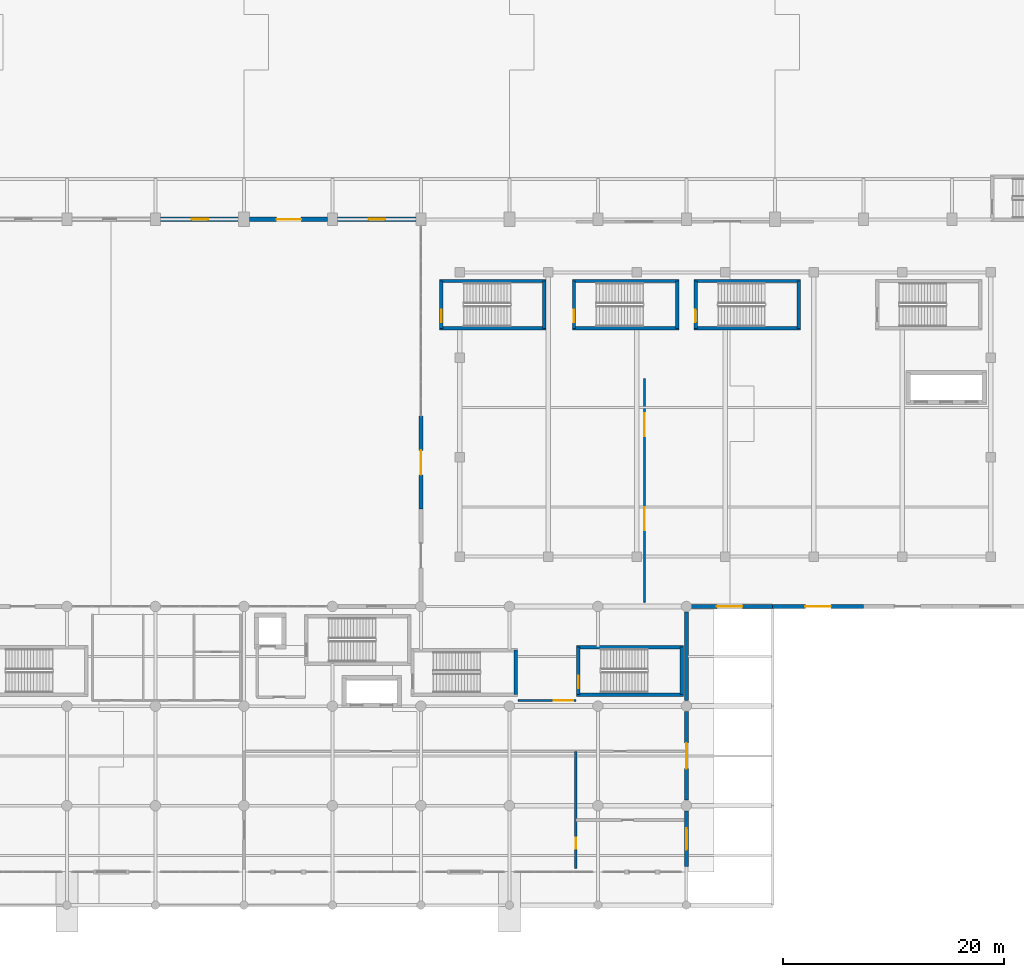
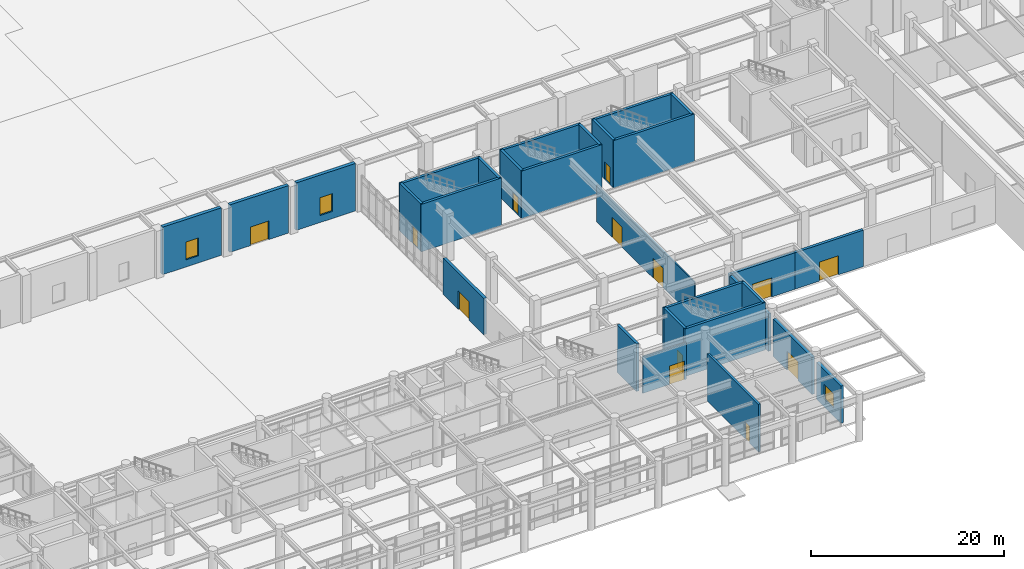
# One storey, part 32 of 49: 29 walls, 13 doors, 3 windows, 16 openings.
"""IFC4 building model written with IfcOpenShell, lengths in metres."""

from ifc_helpers import new_model, si_unit, direction, frame, frame_2d, origin, place, context, subcontext, project, spatial, rectangle, extrude, material, layer, layer_set, type_object, element, fill, save


model = new_model("IFC4")

# Units and contexts
model_context = context("Model", 3, precision=1e-05, world=origin(), true_north=direction((0.0, 1.0)))
body_context = subcontext(model_context, "Body", "Model", "MODEL_VIEW")
ifc_project = project(units=[si_unit("LENGTHUNIT", "METRE"), si_unit("AREAUNIT", "SQUARE_METRE"), si_unit("VOLUMEUNIT", "CUBIC_METRE"), si_unit("PLANEANGLEUNIT", "RADIAN"), si_unit("MASSUNIT", "GRAM", prefix="KILO")], contexts=[model_context])

# Site, building, storey
site_placement = place(None, origin())
site = spatial("IfcSite", under=ifc_project, at=site_placement, CompositionType="ELEMENT")
building_placement = place(site_placement, origin())
building = spatial("IfcBuilding", under=site, at=building_placement, Name="Tlacozan Convention Centre", CompositionType="ELEMENT")
storey_placement = place(building_placement, origin())
storey = spatial("IfcBuildingStorey", under=building, at=storey_placement, Name="L00", CompositionType="ELEMENT", Elevation=0.0)

# Wall, opening, window
ifc_material_1 = material(Name="Volcanic Cantera Stone Masonry", Category="masonry")
ifc_layer_1 = layer(ifc_material_1, 0.35009765625)
ifc_layer_set_1 = layer_set([ifc_layer_1], Name="Volcanic Cantera Stone Masonry")
wall_type_1 = type_object("IfcWallType", Name="Cantera Cavity Facade Wall 350", PredefinedType="SOLIDWALL", material=ifc_layer_set_1)
wall_1_placement = place(storey_placement, frame((112.0, 3.5, 0.0), z_axis=(0.0, 0.0, 1.0), x_axis=(0.0, 1.0, 0.0)))
wall_1 = element("IfcWall", 1, at=wall_1_placement, inside=storey, type_object=wall_type_1, Name="L00 Cantera Cavity Facade Wall 350 103", PredefinedType="SOLIDWALL", context=body_context, shape_type="SweptSolid", body=[
    extrude(rectangle(XDim=5.0, YDim=0.35009765625, at=frame_2d((2.5, 0.0))), origin(), (0.0, 0.0, 1.0), 4.699951171875),
])
opening_1_placement = place(wall_1_placement, frame((1.5, 0.0, 1.0)))
opening_1 = element("IfcOpeningElement", 2, at=opening_1_placement, cuts=wall_1, Name="Opening WN-07", PredefinedType="OPENING", context=body_context, shape_type="SweptSolid", body=[
    extrude(rectangle(XDim=1.949951171875, YDim=1.85009765625, at=frame_2d((0.97509765625, 0.925048828125))), frame((0.0, 0.18505859375, 0.0), z_axis=(0.0, -1.0, 0.0), x_axis=(1.0, 0.0, 0.0)), (0.0, 0.0, 1.0), 0.3701171875),
])
ifc_material_2 = material(Name="Solar Control Double Low-E Argon Glazing", Category="glass")
window_type_1 = type_object("IfcWindowType", Name="Concourse East Reveal Window 1950x1850", PartitioningType="SINGLE_PANEL", PredefinedType="WINDOW", material=ifc_material_2)
window_1_placement = place(opening_1_placement, origin())
window_1 = element("IfcWindow", 3, at=window_1_placement, inside=storey, type_object=window_type_1, Name="L00 Concourse East Reveal Window 1950x1850 47", OverallHeight=1.85009765625, OverallWidth=1.949951171875, PartitioningType="SINGLE_PANEL", PredefinedType="WINDOW", context=body_context, shape_type="SweptSolid", body=[
    extrude(rectangle(XDim=1.949951171875, YDim=1.85009765625, at=frame_2d((0.97509765625, 0.925048828125))), frame((0.0, 0.030029296875, 0.0), z_axis=(0.0, -1.0, 0.0), x_axis=(1.0, 0.0, 0.0)), (0.0, 0.0, 1.0), 0.06005859375),
])
fill(opening_1, window_1)

# Wall, opening, door
wall_2_placement = place(storey_placement, frame((112.0, 9.5, 0.0), z_axis=(0.0, 0.0, 1.0), x_axis=(0.0, 1.0, 0.0)))
wall_2 = element("IfcWall", 4, at=wall_2_placement, inside=storey, type_object=wall_type_1, Name="L00 Cantera Cavity Facade Wall 350 105", PredefinedType="SOLIDWALL", context=body_context, shape_type="SweptSolid", body=[
    extrude(rectangle(XDim=8.0, YDim=0.35009765625, at=frame_2d((4.0, 0.0))), origin(), (0.0, 0.0, 1.0), 4.699951171875),
])
opening_2_placement = place(wall_2_placement, frame((2.85009765625, 0.0, 0.0)))
opening_2 = element("IfcOpeningElement", 5, at=opening_2_placement, cuts=wall_2, Name="Opening EX-D1", PredefinedType="OPENING", context=body_context, shape_type="SweptSolid", body=[
    extrude(rectangle(XDim=2.300048828125, YDim=2.39990234375, at=frame_2d((1.14990234375, 1.199951171875))), frame((0.0, 0.18505859375, 0.0), z_axis=(0.0, -1.0, 0.0), x_axis=(1.0, 0.0, 0.0)), (0.0, 0.0, 1.0), 0.3701171875),
])
ifc_material_3 = material(Name="Thermally Broken Anodised Aluminium Door", Category="aluminium")
door_type_1 = type_object("IfcDoorType", Name="Pedestrian Final Exit Double Door 2300x2400", OperationType="DOUBLE_DOOR_SINGLE_SWING", PredefinedType="DOOR", material=ifc_material_3)
door_1_placement = place(opening_2_placement, frame((2.300048828125, 0.0, 0.0), z_axis=(0.0, 0.0, 1.0), x_axis=(-1.0, 0.0, 0.0)))
door_1 = element("IfcDoor", 6, at=door_1_placement, inside=storey, type_object=door_type_1, Name="Final Pedestrian Exit EX-25", OperationType="DOUBLE_DOOR_SINGLE_SWING", OverallHeight=2.39990234375, OverallWidth=2.300048828125, PredefinedType="DOOR", context=body_context, shape_type="SweptSolid", body=[
    extrude(rectangle(XDim=2.300048828125, YDim=2.39990234375, at=frame_2d((1.14990234375, 1.199951171875))), frame((0.0, 0.02490234375, 0.0), z_axis=(0.0, -1.0, 0.0), x_axis=(1.0, 0.0, 0.0)), (0.0, 0.0, 1.0), 0.050048828125),
])
fill(opening_2, door_1)

# Wall
wall_3_placement = place(storey_placement, frame((112.0, 18.5, 0.0), z_axis=(0.0, 0.0, 1.0), x_axis=(0.0, 1.0, 0.0)))
element("IfcWall", 7, at=wall_3_placement, inside=storey, type_object=wall_type_1, Name="L00 Cantera Cavity Facade Wall 350 107", PredefinedType="SOLIDWALL", context=body_context, shape_type="SweptSolid", body=[
    extrude(rectangle(XDim=8.0, YDim=0.35009765625, at=frame_2d((4.0, 0.0))), origin(), (0.0, 0.0, 1.0), 4.699951171875),
])

# Wall, opening, window
ifc_material_4 = material(Name="Concrete C40/50", Category="concrete")
ifc_layer_2 = layer(ifc_material_4, 0.39990234375)
ifc_layer_set_2 = layer_set([ifc_layer_2], Name="Concrete C40/50")
wall_type_2 = type_object("IfcWallType", Name="Cantera Structural Hall Wall 400", PredefinedType="SOLIDWALL", material=ifc_layer_set_2)
wall_4_placement = place(storey_placement, frame((64.465087890625, 62.0, 0.0), z_axis=(0.0, 0.0, 1.0), x_axis=(1.0, 0.0, 0.0)))
wall_4 = element("IfcWall", 8, at=wall_4_placement, inside=storey, type_object=wall_type_2, Name="L00 Cantera Structural Hall Wall 400 91", PredefinedType="SOLIDWALL", context=body_context, shape_type="SweptSolid", body=[
    extrude(rectangle(XDim=7.02001953125, YDim=0.39990234375, at=frame_2d((3.510009765625, 0.0))), origin(), (0.0, 0.0, 1.0), 6.0),
])
opening_3_placement = place(wall_4_placement, frame((2.800048828125, 0.0, 0.89990234375)))
opening_3 = element("IfcOpeningElement", 9, at=opening_3_placement, cuts=wall_4, Name="Opening WN-09", PredefinedType="OPENING", context=body_context, shape_type="SweptSolid", body=[
    extrude(rectangle(XDim=1.5, YDim=2.25, at=frame_2d((0.75, 1.125))), frame((0.0, 0.2099609375, 0.0), z_axis=(0.0, -1.0, 0.0), x_axis=(1.0, 0.0, 0.0)), (0.0, 0.0, 1.0), 0.419921875),
])
window_type_2 = type_object("IfcWindowType", Name="Courtyard Wide Slot Window 1500x2250", PartitioningType="SINGLE_PANEL", PredefinedType="WINDOW", material=ifc_material_2)
window_2_placement = place(opening_3_placement, origin())
window_2 = element("IfcWindow", 10, at=window_2_placement, inside=storey, type_object=window_type_2, Name="L00 Courtyard Wide Slot Window 1500x2250 44", OverallHeight=2.25, OverallWidth=1.5, PartitioningType="SINGLE_PANEL", PredefinedType="WINDOW", context=body_context, shape_type="SweptSolid", body=[
    extrude(rectangle(XDim=1.5, YDim=2.25, at=frame_2d((0.75, 1.125))), frame((0.0, 0.030029296875, 0.0), z_axis=(0.0, -1.0, 0.0), x_axis=(1.0, 0.0, 0.0)), (0.0, 0.0, 1.0), 0.06005859375),
])
fill(opening_3, window_2)

# Wall, opening, door
wall_5_placement = place(storey_placement, frame((72.514892578125, 62.0, 0.0), z_axis=(0.0, 0.0, 1.0), x_axis=(1.0, 0.0, 0.0)))
wall_5 = element("IfcWall", 11, at=wall_5_placement, inside=storey, type_object=wall_type_2, Name="L00 Cantera Structural Hall Wall 400 92", PredefinedType="SOLIDWALL", context=body_context, shape_type="SweptSolid", body=[
    extrude(rectangle(XDim=7.02001953125, YDim=0.39990234375, at=frame_2d((3.510009765625, 0.0))), origin(), (0.0, 0.0, 1.0), 6.0),
])
opening_4_placement = place(wall_5_placement, frame((2.449951171875, 0.0, 0.0)))
opening_4 = element("IfcOpeningElement", 12, at=opening_4_placement, cuts=wall_5, Name="Opening EX-D4", PredefinedType="OPENING", context=body_context, shape_type="SweptSolid", body=[
    extrude(rectangle(XDim=2.199951171875, YDim=2.35009765625, at=frame_2d((1.10009765625, 1.175048828125))), frame((0.0, 0.2099609375, 0.0), z_axis=(0.0, -1.0, 0.0), x_axis=(1.0, 0.0, 0.0)), (0.0, 0.0, 1.0), 0.419921875),
])
door_type_2 = type_object("IfcDoorType", Name="Courtyard Cloister Exit Door 2200x2350", OperationType="DOUBLE_DOOR_SINGLE_SWING", PredefinedType="DOOR", material=ifc_material_3)
door_2_placement = place(opening_4_placement, frame((2.199951171875, 0.0, 0.0), z_axis=(0.0, 0.0, 1.0), x_axis=(-1.0, 0.0, 0.0)))
door_2 = element("IfcDoor", 13, at=door_2_placement, inside=storey, type_object=door_type_2, Name="Final Pedestrian Exit EX-16", OperationType="DOUBLE_DOOR_SINGLE_SWING", OverallHeight=2.35009765625, OverallWidth=2.199951171875, PredefinedType="DOOR", context=body_context, shape_type="SweptSolid", body=[
    extrude(rectangle(XDim=2.199951171875, YDim=2.35009765625, at=frame_2d((1.10009765625, 1.175048828125))), frame((0.0, 0.02490234375, 0.0), z_axis=(0.0, -1.0, 0.0), x_axis=(1.0, 0.0, 0.0)), (0.0, 0.0, 1.0), 0.050048828125),
])
fill(opening_4, door_2)

# Wall, opening, window
wall_6_placement = place(storey_placement, frame((80.465087890625, 62.0, 0.0), z_axis=(0.0, 0.0, 1.0), x_axis=(1.0, 0.0, 0.0)))
wall_6 = element("IfcWall", 14, at=wall_6_placement, inside=storey, type_object=wall_type_2, Name="L00 Cantera Structural Hall Wall 400 93", PredefinedType="SOLIDWALL", context=body_context, shape_type="SweptSolid", body=[
    extrude(rectangle(XDim=7.06982421875, YDim=0.39990234375, at=frame_2d((3.534912109375, 0.0))), origin(), (0.0, 0.0, 1.0), 6.0),
])
opening_5_placement = place(wall_6_placement, frame((2.800048828125, 0.0, 0.89990234375)))
opening_5 = element("IfcOpeningElement", 15, at=opening_5_placement, cuts=wall_6, Name="Opening WN-09", PredefinedType="OPENING", context=body_context, shape_type="SweptSolid", body=[
    extrude(rectangle(XDim=1.5, YDim=2.25, at=frame_2d((0.75, 1.125))), frame((0.0, 0.2099609375, 0.0), z_axis=(0.0, -1.0, 0.0), x_axis=(1.0, 0.0, 0.0)), (0.0, 0.0, 1.0), 0.419921875),
])
window_3_placement = place(opening_5_placement, origin())
window_3 = element("IfcWindow", 16, at=window_3_placement, inside=storey, type_object=window_type_2, Name="L00 Courtyard Wide Slot Window 1500x2250 45", OverallHeight=2.25, OverallWidth=1.5, PartitioningType="SINGLE_PANEL", PredefinedType="WINDOW", context=body_context, shape_type="SweptSolid", body=[
    extrude(rectangle(XDim=1.5, YDim=2.25, at=frame_2d((0.75, 1.125))), frame((0.0, 0.030029296875, 0.0), z_axis=(0.0, -1.0, 0.0), x_axis=(1.0, 0.0, 0.0)), (0.0, 0.0, 1.0), 0.06005859375),
])
fill(opening_5, window_3)

# Wall, opening, door
ifc_layer_3 = layer(ifc_material_4, 0.260009765625)
ifc_layer_set_3 = layer_set([ifc_layer_3], Name="Concrete C40/50")
wall_type_3 = type_object("IfcWallType", Name="Compartment Rated Wall RC 260", PredefinedType="SOLIDWALL", material=ifc_layer_set_3)
wall_7_placement = place(storey_placement, frame((102.0, 3.300048828125, 0.0), z_axis=(0.0, 0.0, 1.0), x_axis=(0.0, 1.0, 0.0)))
wall_7 = element("IfcWall", 17, at=wall_7_placement, inside=storey, type_object=wall_type_3, Name="L00 Compartment Rated Wall RC 260 574", PredefinedType="SOLIDWALL", context=body_context, shape_type="SweptSolid", body=[
    extrude(rectangle(XDim=10.599853515625, YDim=0.260009765625, at=frame_2d((5.2998046875, 0.0))), origin(), (0.0, 0.0, 1.0), 6.0),
])
opening_6_placement = place(wall_7_placement, frame((1.800048828125, 0.0, 0.0)))
opening_6 = element("IfcOpeningElement", 18, at=opening_6_placement, cuts=wall_7, Name="Opening FD-01", PredefinedType="OPENING", context=body_context, shape_type="SweptSolid", body=[
    extrude(rectangle(XDim=1.0, YDim=2.14990234375, at=frame_2d((0.5, 1.074951171875))), frame((0.0, 0.139892578125, 0.0), z_axis=(0.0, -1.0, 0.0), x_axis=(1.0, 0.0, 0.0)), (0.0, 0.0, 1.0), 0.280029296875),
])
ifc_material_5 = material(Name="Fire-Rated Insulated Steel Door Leaf", Category="steel")
door_type_3 = type_object("IfcDoorType", Name="Fire Door Single 1000x2150 FD90", OperationType="NOTDEFINED", PredefinedType="DOOR", material=ifc_material_5)
door_3_placement = place(opening_6_placement, origin())
door_3 = element("IfcDoor", 19, at=door_3_placement, inside=storey, type_object=door_type_3, Name="Fire Command Room Interior Door", OperationType="SINGLE_SWING_RIGHT", OverallHeight=2.14990234375, OverallWidth=1.0, PredefinedType="DOOR", context=body_context, shape_type="SweptSolid", body=[
    extrude(rectangle(XDim=1.0, YDim=2.14990234375, at=frame_2d((0.5, 1.074951171875))), frame((0.0, 0.02490234375, 0.0), z_axis=(0.0, -1.0, 0.0), x_axis=(1.0, 0.0, 0.0)), (0.0, 0.0, 1.0), 0.050048828125),
])
fill(opening_6, door_3)

ifc_layer_4 = layer(ifc_material_1, 0.330078125)
ifc_layer_set_4 = layer_set([ifc_layer_4], Name="Volcanic Cantera Stone Masonry")
wall_type_4 = type_object("IfcWallType", Name="Courtyard Cantera Cloister Wall 330", PredefinedType="SOLIDWALL", material=ifc_layer_set_4)
wall_8_placement = place(storey_placement, frame((88.0, 35.800048828125, 0.0), z_axis=(0.0, 0.0, 1.0), x_axis=(0.0, 1.0, 0.0)))
wall_8 = element("IfcWall", 20, at=wall_8_placement, inside=storey, type_object=wall_type_4, Name="L00 Courtyard Cantera Cloister Wall 330 187", PredefinedType="SOLIDWALL", context=body_context, shape_type="SweptSolid", body=[
    extrude(rectangle(XDim=8.39990234375, YDim=0.330078125, at=frame_2d((4.199951171875, 0.0))), origin(), (0.0, 0.0, 1.0), 4.60009765625),
])
opening_7_placement = place(wall_8_placement, frame((3.10009765625, 0.0, 0.0)))
opening_7 = element("IfcOpeningElement", 21, at=opening_7_placement, cuts=wall_8, Name="Opening EX-D4", PredefinedType="OPENING", context=body_context, shape_type="SweptSolid", body=[
    extrude(rectangle(XDim=2.199951171875, YDim=2.35009765625, at=frame_2d((1.10009765625, 1.175048828125))), frame((0.0, 0.175048828125, 0.0), z_axis=(0.0, -1.0, 0.0), x_axis=(1.0, 0.0, 0.0)), (0.0, 0.0, 1.0), 0.35009765625),
])
door_4_placement = place(opening_7_placement, origin())
door_4 = element("IfcDoor", 22, at=door_4_placement, inside=storey, type_object=door_type_2, Name="Final Pedestrian Exit EX-33", OperationType="DOUBLE_DOOR_SINGLE_SWING", OverallHeight=2.35009765625, OverallWidth=2.199951171875, PredefinedType="DOOR", context=body_context, shape_type="SweptSolid", body=[
    extrude(rectangle(XDim=2.199951171875, YDim=2.35009765625, at=frame_2d((1.10009765625, 1.175048828125))), frame((0.0, 0.02490234375, 0.0), z_axis=(0.0, -1.0, 0.0), x_axis=(1.0, 0.0, 0.0)), (0.0, 0.0, 1.0), 0.050048828125),
])
fill(opening_7, door_4)

wall_9_placement = place(storey_placement, frame((112.0, 27.0, 0.0), z_axis=(0.0, 0.0, 1.0), x_axis=(1.0, 0.0, 0.0)))
wall_9 = element("IfcWall", 23, at=wall_9_placement, inside=storey, type_object=wall_type_4, Name="L00 Courtyard Cantera Cloister Wall 330 188", PredefinedType="SOLIDWALL", context=body_context, shape_type="SweptSolid", body=[
    extrude(rectangle(XDim=7.800048828125, YDim=0.330078125, at=frame_2d((3.89990234375, 0.0))), origin(), (0.0, 0.0, 1.0), 4.60009765625),
])
opening_8_placement = place(wall_9_placement, frame((2.75, 0.0, 0.0)))
opening_8 = element("IfcOpeningElement", 24, at=opening_8_placement, cuts=wall_9, Name="Opening EX-D1", PredefinedType="OPENING", context=body_context, shape_type="SweptSolid", body=[
    extrude(rectangle(XDim=2.300048828125, YDim=2.39990234375, at=frame_2d((1.14990234375, 1.199951171875))), frame((0.0, 0.175048828125, 0.0), z_axis=(0.0, -1.0, 0.0), x_axis=(1.0, 0.0, 0.0)), (0.0, 0.0, 1.0), 0.35009765625),
])
door_5_placement = place(opening_8_placement, frame((2.300048828125, 0.0, 0.0), z_axis=(0.0, 0.0, 1.0), x_axis=(-1.0, 0.0, 0.0)))
door_5 = element("IfcDoor", 25, at=door_5_placement, inside=storey, type_object=door_type_1, Name="Final Pedestrian Exit EX-34", OperationType="DOUBLE_DOOR_SINGLE_SWING", OverallHeight=2.39990234375, OverallWidth=2.300048828125, PredefinedType="DOOR", context=body_context, shape_type="SweptSolid", body=[
    extrude(rectangle(XDim=2.300048828125, YDim=2.39990234375, at=frame_2d((1.14990234375, 1.199951171875))), frame((0.0, 0.02490234375, 0.0), z_axis=(0.0, -1.0, 0.0), x_axis=(1.0, 0.0, 0.0)), (0.0, 0.0, 1.0), 0.050048828125),
])
fill(opening_8, door_5)

wall_10_placement = place(storey_placement, frame((119.800048828125, 27.0, 0.0), z_axis=(0.0, 0.0, 1.0), x_axis=(1.0, 0.0, 0.0)))
wall_10 = element("IfcWall", 26, at=wall_10_placement, inside=storey, type_object=wall_type_4, Name="L00 Courtyard Cantera Cloister Wall 330 189", PredefinedType="SOLIDWALL", context=body_context, shape_type="SweptSolid", body=[
    extrude(rectangle(XDim=8.199951171875, YDim=0.330078125, at=frame_2d((4.10009765625, 0.0))), origin(), (0.0, 0.0, 1.0), 4.60009765625),
])
opening_9_placement = place(wall_10_placement, frame((2.949951171875, 0.0, 0.0)))
opening_9 = element("IfcOpeningElement", 27, at=opening_9_placement, cuts=wall_10, Name="Opening EX-D1", PredefinedType="OPENING", context=body_context, shape_type="SweptSolid", body=[
    extrude(rectangle(XDim=2.300048828125, YDim=2.39990234375, at=frame_2d((1.14990234375, 1.199951171875))), frame((0.0, 0.175048828125, 0.0), z_axis=(0.0, -1.0, 0.0), x_axis=(1.0, 0.0, 0.0)), (0.0, 0.0, 1.0), 0.35009765625),
])
door_6_placement = place(opening_9_placement, frame((2.300048828125, 0.0, 0.0), z_axis=(0.0, 0.0, 1.0), x_axis=(-1.0, 0.0, 0.0)))
door_6 = element("IfcDoor", 28, at=door_6_placement, inside=storey, type_object=door_type_1, Name="Final Pedestrian Exit EX-35", OperationType="DOUBLE_DOOR_SINGLE_SWING", OverallHeight=2.39990234375, OverallWidth=2.300048828125, PredefinedType="DOOR", context=body_context, shape_type="SweptSolid", body=[
    extrude(rectangle(XDim=2.300048828125, YDim=2.39990234375, at=frame_2d((1.14990234375, 1.199951171875))), frame((0.0, 0.02490234375, 0.0), z_axis=(0.0, -1.0, 0.0), x_axis=(1.0, 0.0, 0.0)), (0.0, 0.0, 1.0), 0.050048828125),
])
fill(opening_9, door_6)

ifc_material_6 = material(Name="Acoustic Double-Stud Partition Assembly")
ifc_layer_5 = layer(ifc_material_6, 0.159912109375)
ifc_layer_set_5 = layer_set([ifc_layer_5], Name="Acoustic Double-Stud Partition Assembly")
wall_type_5 = type_object("IfcWallType", Name="Meeting Acoustic Partition 160", PredefinedType="PARTITIONING", material=ifc_layer_set_5)
wall_11_placement = place(storey_placement, frame((96.800048828125, 18.5, 0.0), z_axis=(0.0, 0.0, 1.0), x_axis=(1.0, 0.0, 0.0)))
wall_11 = element("IfcWall", 29, at=wall_11_placement, inside=storey, type_object=wall_type_5, Name="L00 Meeting Acoustic Partition 160 576", PredefinedType="PARTITIONING", context=body_context, shape_type="SweptSolid", body=[
    extrude(rectangle(XDim=5.199951171875, YDim=0.159912109375, at=frame_2d((2.60009765625, 0.0))), origin(), (0.0, 0.0, 1.0), 4.64990234375),
])
opening_10_placement = place(wall_11_placement, frame((3.199951171875, 0.0, 0.0)))
opening_10 = element("IfcOpeningElement", 30, at=opening_10_placement, cuts=wall_11, Name="Opening ID-16", PredefinedType="OPENING", context=body_context, shape_type="SweptSolid", body=[
    extrude(rectangle(XDim=1.75, YDim=2.35009765625, at=frame_2d((0.875, 1.175048828125))), frame((0.0, 0.08984375, 0.0), z_axis=(0.0, -1.0, 0.0), x_axis=(1.0, 0.0, 0.0)), (0.0, 0.0, 1.0), 0.179931640625),
])
ifc_material_7 = material(Name="Acoustic Solid-Core Oak Veneer Door")
door_type_4 = type_object("IfcDoorType", Name="Salon Double Door 1750x2350", OperationType="DOUBLE_DOOR_SINGLE_SWING", PredefinedType="DOOR", material=ifc_material_7)
door_7_placement = place(opening_10_placement, origin())
door_7 = element("IfcDoor", 31, at=door_7_placement, inside=storey, type_object=door_type_4, Name="L00 Exhibitor Services Door", OperationType="DOUBLE_DOOR_SINGLE_SWING", OverallHeight=2.35009765625, OverallWidth=1.75, PredefinedType="DOOR", context=body_context, shape_type="SweptSolid", body=[
    extrude(rectangle(XDim=1.75, YDim=2.35009765625, at=frame_2d((0.875, 1.175048828125))), frame((0.0, 0.02490234375, 0.0), z_axis=(0.0, -1.0, 0.0), x_axis=(1.0, 0.0, 0.0)), (0.0, 0.0, 1.0), 0.050048828125),
])
fill(opening_10, door_7)

# Wall, openings, doors
wall_12_placement = place(storey_placement, frame((108.199951171875, 27.39990234375, 0.0), z_axis=(0.0, 0.0, 1.0), x_axis=(0.0, 1.0, 0.0)))
wall_12 = element("IfcWall", 32, at=wall_12_placement, inside=storey, type_object=wall_type_5, Name="L00 Meeting Acoustic Partition 160 579", PredefinedType="PARTITIONING", context=body_context, shape_type="SweptSolid", body=[
    extrude(rectangle(XDim=20.2001953125, YDim=0.159912109375, at=frame_2d((10.10009765625, 0.0))), origin(), (0.0, 0.0, 1.0), 4.64990234375),
])
opening_11_placement = place(wall_12_placement, frame((6.5, 0.0, 0.0)))
opening_11 = element("IfcOpeningElement", 33, at=opening_11_placement, cuts=wall_12, Name="Opening ID-18", PredefinedType="OPENING", context=body_context, shape_type="SweptSolid", body=[
    extrude(rectangle(XDim=2.050048828125, YDim=2.5, at=frame_2d((1.02490234375, 1.25))), frame((0.0, 0.08984375, 0.0), z_axis=(0.0, -1.0, 0.0), x_axis=(1.0, 0.0, 0.0)), (0.0, 0.0, 1.0), 0.179931640625),
])
opening_12_placement = place(wall_12_placement, frame((15.0, 0.0, 0.0)))
opening_12 = element("IfcOpeningElement", 34, at=opening_12_placement, cuts=wall_12, Name="Opening ID-18", PredefinedType="OPENING", context=body_context, shape_type="SweptSolid", body=[
    extrude(rectangle(XDim=2.050048828125, YDim=2.5, at=frame_2d((1.02490234375, 1.25))), frame((0.0, 0.08984375, 0.0), z_axis=(0.0, -1.0, 0.0), x_axis=(1.0, 0.0, 0.0)), (0.0, 0.0, 1.0), 0.179931640625),
])
door_type_5 = type_object("IfcDoorType", Name="Dining Pavilion Double Door 2050x2500", OperationType="DOUBLE_DOOR_SINGLE_SWING", PredefinedType="DOOR", material=ifc_material_7)
door_8_placement = place(opening_11_placement, origin())
door_8 = element("IfcDoor", 35, at=door_8_placement, inside=storey, type_object=door_type_5, Name="L00 Dining Pavilion Double Door 2050x2500 167", OperationType="DOUBLE_DOOR_SINGLE_SWING", OverallHeight=2.5, OverallWidth=2.050048828125, PredefinedType="DOOR", context=body_context, shape_type="SweptSolid", body=[
    extrude(rectangle(XDim=2.050048828125, YDim=2.5, at=frame_2d((1.02490234375, 1.25))), frame((0.0, 0.02490234375, 0.0), z_axis=(0.0, -1.0, 0.0), x_axis=(1.0, 0.0, 0.0)), (0.0, 0.0, 1.0), 0.050048828125),
])
fill(opening_11, door_8)
door_9_placement = place(opening_12_placement, origin())
door_9 = element("IfcDoor", 36, at=door_9_placement, inside=storey, type_object=door_type_5, Name="L00 Dining Pavilion Double Door 2050x2500 168", OperationType="DOUBLE_DOOR_SINGLE_SWING", OverallHeight=2.5, OverallWidth=2.050048828125, PredefinedType="DOOR", context=body_context, shape_type="SweptSolid", body=[
    extrude(rectangle(XDim=2.050048828125, YDim=2.5, at=frame_2d((1.02490234375, 1.25))), frame((0.0, 0.02490234375, 0.0), z_axis=(0.0, -1.0, 0.0), x_axis=(1.0, 0.0, 0.0)), (0.0, 0.0, 1.0), 0.050048828125),
])
fill(opening_12, door_9)

# Walls
ifc_layer_6 = layer(ifc_material_4, 0.31005859375)
ifc_layer_set_6 = layer_set([ifc_layer_6], Name="Concrete C40/50")
wall_type_6 = type_object("IfcWallType", Name="Stair Shaft Shear Wall RC 310", PredefinedType="SHEAR", material=ifc_layer_set_6)
for number, where, z_axis, x_axis, name in (
    (37, (102.0849609375, 19.0400390625, 0.0), (0.0, 0.0, 1.0), (1.0, 0.0, 0.0), "L00 Stair Shaft Shear Wall RC 310 269"),
    (38, (102.0849609375, 23.320068359375, 0.0), (0.0, 0.0, 1.0), (1.0, 0.0, 0.0), "L00 Stair Shaft Shear Wall RC 310 270"),
):
    element("IfcWall", number, at=place(storey_placement, frame(where, z_axis=z_axis, x_axis=x_axis)), inside=storey, type_object=wall_type_6, Name=name, PredefinedType="SHEAR", context=body_context, shape_type="SweptSolid", body=[
        extrude(rectangle(XDim=9.630126953125, YDim=0.31005859375, at=frame_2d((4.81494140625, 0.0))), origin(), (0.0, 0.0, 1.0), 6.0),
    ])

# Wall, opening, door
wall_13_placement = place(storey_placement, frame((102.239990234375, 19.0400390625, 0.0), z_axis=(0.0, 0.0, 1.0), x_axis=(0.0, 1.0, 0.0)))
wall_13 = element("IfcWall", 39, at=wall_13_placement, inside=storey, type_object=wall_type_6, Name="L00 Stair Shaft Shear Wall RC 310 271", PredefinedType="SHEAR", context=body_context, shape_type="SweptSolid", body=[
    extrude(rectangle(XDim=4.280029296875, YDim=0.31005859375, at=frame_2d((2.14013671875, 0.0))), origin(), (0.0, 0.0, 1.0), 6.0),
])
opening_13_placement = place(wall_13_placement, frame((0.550048828125, 0.0, 0.0)))
opening_13 = element("IfcOpeningElement", 40, at=opening_13_placement, cuts=wall_13, Name="Opening FD-02", PredefinedType="OPENING", context=body_context, shape_type="SweptSolid", body=[
    extrude(rectangle(XDim=1.14990234375, YDim=2.199951171875, at=frame_2d((0.574951171875, 1.10009765625))), frame((0.0, 0.1650390625, 0.0), z_axis=(0.0, -1.0, 0.0), x_axis=(1.0, 0.0, 0.0)), (0.0, 0.0, 1.0), 0.330078125),
])
door_type_6 = type_object("IfcDoorType", Name="Fire Door Stair 1150x2200 FD90", OperationType="NOTDEFINED", PredefinedType="DOOR", material=ifc_material_5)
door_10_placement = place(opening_13_placement, origin())
door_10 = element("IfcDoor", 41, at=door_10_placement, inside=storey, type_object=door_type_6, Name="L00 Stair ST-05 Access Door", OperationType="SINGLE_SWING_RIGHT", OverallHeight=2.199951171875, OverallWidth=1.14990234375, PredefinedType="DOOR", context=body_context, shape_type="SweptSolid", body=[
    extrude(rectangle(XDim=1.14990234375, YDim=2.199951171875, at=frame_2d((0.574951171875, 1.10009765625))), frame((0.0, 0.02490234375, 0.0), z_axis=(0.0, -1.0, 0.0), x_axis=(1.0, 0.0, 0.0)), (0.0, 0.0, 1.0), 0.050048828125),
])
fill(opening_13, door_10)

# Walls
wall_14_placement = place(storey_placement, frame((111.56005859375, 19.0400390625, 0.0), z_axis=(0.0, 0.0, 1.0), x_axis=(0.0, 1.0, 0.0)))
element("IfcWall", 42, at=wall_14_placement, inside=storey, type_object=wall_type_6, Name="L00 Stair Shaft Shear Wall RC 310 272", PredefinedType="SHEAR", context=body_context, shape_type="SweptSolid", body=[
    extrude(rectangle(XDim=4.280029296875, YDim=0.31005859375, at=frame_2d((2.14013671875, 0.0))), origin(), (0.0, 0.0, 1.0), 6.0),
])
wall_15_placement = place(storey_placement, frame((96.56005859375, 19.0400390625, 0.0), z_axis=(0.0, 0.0, 1.0), x_axis=(0.0, 1.0, 0.0)))
element("IfcWall", 43, at=wall_15_placement, inside=storey, type_object=wall_type_6, Name="L00 Stair Shaft Shear Wall RC 310 340", PredefinedType="SHEAR", context=body_context, shape_type="SweptSolid", body=[
    extrude(rectangle(XDim=4.02001953125, YDim=0.31005859375, at=frame_2d((2.010009765625, 0.0))), origin(), (0.0, 0.0, 1.0), 6.0),
])
for number, where, z_axis, x_axis, name in (
    (44, (89.68505859375, 52.139892578125, 0.0), (0.0, 0.0, 1.0), (1.0, 0.0, 0.0), "L00 Stair Shaft Shear Wall RC 310 381"),
    (45, (89.68505859375, 56.419921875, 0.0), (0.0, 0.0, 1.0), (1.0, 0.0, 0.0), "L00 Stair Shaft Shear Wall RC 310 382"),
):
    element("IfcWall", number, at=place(storey_placement, frame(where, z_axis=z_axis, x_axis=x_axis)), inside=storey, type_object=wall_type_6, Name=name, PredefinedType="SHEAR", context=body_context, shape_type="SweptSolid", body=[
        extrude(rectangle(XDim=9.6298828125, YDim=0.31005859375, at=frame_2d((4.81494140625, 0.0))), origin(), (0.0, 0.0, 1.0), 6.0),
    ])

# Wall, opening, door
wall_16_placement = place(storey_placement, frame((89.840087890625, 52.139892578125, 0.0), z_axis=(0.0, 0.0, 1.0), x_axis=(0.0, 1.0, 0.0)))
wall_16 = element("IfcWall", 46, at=wall_16_placement, inside=storey, type_object=wall_type_6, Name="L00 Stair Shaft Shear Wall RC 310 383", PredefinedType="SHEAR", context=body_context, shape_type="SweptSolid", body=[
    extrude(rectangle(XDim=4.280029296875, YDim=0.31005859375, at=frame_2d((2.14013671875, 0.0))), origin(), (0.0, 0.0, 1.0), 6.0),
])
opening_14_placement = place(wall_16_placement, frame((0.550048828125, 0.0, 0.0)))
opening_14 = element("IfcOpeningElement", 47, at=opening_14_placement, cuts=wall_16, Name="Opening FD-02", PredefinedType="OPENING", context=body_context, shape_type="SweptSolid", body=[
    extrude(rectangle(XDim=1.14990234375, YDim=2.199951171875, at=frame_2d((0.574951171875, 1.10009765625))), frame((0.0, 0.1650390625, 0.0), z_axis=(0.0, -1.0, 0.0), x_axis=(1.0, 0.0, 0.0)), (0.0, 0.0, 1.0), 0.330078125),
])
door_11_placement = place(opening_14_placement, origin())
door_11 = element("IfcDoor", 48, at=door_11_placement, inside=storey, type_object=door_type_6, Name="L00 Stair ST-06 Access Door", OperationType="SINGLE_SWING_RIGHT", OverallHeight=2.199951171875, OverallWidth=1.14990234375, PredefinedType="DOOR", context=body_context, shape_type="SweptSolid", body=[
    extrude(rectangle(XDim=1.14990234375, YDim=2.199951171875, at=frame_2d((0.574951171875, 1.10009765625))), frame((0.0, 0.02490234375, 0.0), z_axis=(0.0, -1.0, 0.0), x_axis=(1.0, 0.0, 0.0)), (0.0, 0.0, 1.0), 0.050048828125),
])
fill(opening_14, door_11)

# Walls
wall_17_placement = place(storey_placement, frame((99.159912109375, 52.139892578125, 0.0), z_axis=(0.0, 0.0, 1.0), x_axis=(0.0, 1.0, 0.0)))
element("IfcWall", 49, at=wall_17_placement, inside=storey, type_object=wall_type_6, Name="L00 Stair Shaft Shear Wall RC 310 384", PredefinedType="SHEAR", context=body_context, shape_type="SweptSolid", body=[
    extrude(rectangle(XDim=4.280029296875, YDim=0.31005859375, at=frame_2d((2.14013671875, 0.0))), origin(), (0.0, 0.0, 1.0), 6.0),
])
for number, where, z_axis, x_axis, name in (
    (50, (101.68505859375, 52.139892578125, 0.0), (0.0, 0.0, 1.0), (1.0, 0.0, 0.0), "L00 Stair Shaft Shear Wall RC 310 401"),
    (51, (101.68505859375, 56.419921875, 0.0), (0.0, 0.0, 1.0), (1.0, 0.0, 0.0), "L00 Stair Shaft Shear Wall RC 310 402"),
):
    element("IfcWall", number, at=place(storey_placement, frame(where, z_axis=z_axis, x_axis=x_axis)), inside=storey, type_object=wall_type_6, Name=name, PredefinedType="SHEAR", context=body_context, shape_type="SweptSolid", body=[
        extrude(rectangle(XDim=9.6298828125, YDim=0.31005859375, at=frame_2d((4.81494140625, 0.0))), origin(), (0.0, 0.0, 1.0), 6.0),
    ])

# Wall, opening, door
wall_18_placement = place(storey_placement, frame((101.840087890625, 52.139892578125, 0.0), z_axis=(0.0, 0.0, 1.0), x_axis=(0.0, 1.0, 0.0)))
wall_18 = element("IfcWall", 52, at=wall_18_placement, inside=storey, type_object=wall_type_6, Name="L00 Stair Shaft Shear Wall RC 310 403", PredefinedType="SHEAR", context=body_context, shape_type="SweptSolid", body=[
    extrude(rectangle(XDim=4.280029296875, YDim=0.31005859375, at=frame_2d((2.14013671875, 0.0))), origin(), (0.0, 0.0, 1.0), 6.0),
])
opening_15_placement = place(wall_18_placement, frame((0.550048828125, 0.0, 0.0)))
opening_15 = element("IfcOpeningElement", 53, at=opening_15_placement, cuts=wall_18, Name="Opening FD-02", PredefinedType="OPENING", context=body_context, shape_type="SweptSolid", body=[
    extrude(rectangle(XDim=1.14990234375, YDim=2.199951171875, at=frame_2d((0.574951171875, 1.10009765625))), frame((0.0, 0.1650390625, 0.0), z_axis=(0.0, -1.0, 0.0), x_axis=(1.0, 0.0, 0.0)), (0.0, 0.0, 1.0), 0.330078125),
])
door_12_placement = place(opening_15_placement, origin())
door_12 = element("IfcDoor", 54, at=door_12_placement, inside=storey, type_object=door_type_6, Name="L00 Stair ST-17 Access Door", OperationType="SINGLE_SWING_LEFT", OverallHeight=2.199951171875, OverallWidth=1.14990234375, PredefinedType="DOOR", context=body_context, shape_type="SweptSolid", body=[
    extrude(rectangle(XDim=1.14990234375, YDim=2.199951171875, at=frame_2d((0.574951171875, 1.10009765625))), frame((0.0, 0.02490234375, 0.0), z_axis=(0.0, -1.0, 0.0), x_axis=(1.0, 0.0, 0.0)), (0.0, 0.0, 1.0), 0.050048828125),
])
fill(opening_15, door_12)

# Walls
wall_19_placement = place(storey_placement, frame((111.159912109375, 52.139892578125, 0.0), z_axis=(0.0, 0.0, 1.0), x_axis=(0.0, 1.0, 0.0)))
element("IfcWall", 55, at=wall_19_placement, inside=storey, type_object=wall_type_6, Name="L00 Stair Shaft Shear Wall RC 310 404", PredefinedType="SHEAR", context=body_context, shape_type="SweptSolid", body=[
    extrude(rectangle(XDim=4.280029296875, YDim=0.31005859375, at=frame_2d((2.14013671875, 0.0))), origin(), (0.0, 0.0, 1.0), 6.0),
])
for number, where, z_axis, x_axis, name in (
    (56, (112.68505859375, 52.139892578125, 0.0), (0.0, 0.0, 1.0), (1.0, 0.0, 0.0), "L00 Stair Shaft Shear Wall RC 310 421"),
    (57, (112.68505859375, 56.419921875, 0.0), (0.0, 0.0, 1.0), (1.0, 0.0, 0.0), "L00 Stair Shaft Shear Wall RC 310 422"),
):
    element("IfcWall", number, at=place(storey_placement, frame(where, z_axis=z_axis, x_axis=x_axis)), inside=storey, type_object=wall_type_6, Name=name, PredefinedType="SHEAR", context=body_context, shape_type="SweptSolid", body=[
        extrude(rectangle(XDim=9.6298828125, YDim=0.31005859375, at=frame_2d((4.81494140625, 0.0))), origin(), (0.0, 0.0, 1.0), 6.0),
    ])

# Wall, opening, door
wall_20_placement = place(storey_placement, frame((112.840087890625, 52.139892578125, 0.0), z_axis=(0.0, 0.0, 1.0), x_axis=(0.0, 1.0, 0.0)))
wall_20 = element("IfcWall", 58, at=wall_20_placement, inside=storey, type_object=wall_type_6, Name="L00 Stair Shaft Shear Wall RC 310 423", PredefinedType="SHEAR", context=body_context, shape_type="SweptSolid", body=[
    extrude(rectangle(XDim=4.280029296875, YDim=0.31005859375, at=frame_2d((2.14013671875, 0.0))), origin(), (0.0, 0.0, 1.0), 6.0),
])
opening_16_placement = place(wall_20_placement, frame((0.550048828125, 0.0, 0.0)))
opening_16 = element("IfcOpeningElement", 59, at=opening_16_placement, cuts=wall_20, Name="Opening FD-02", PredefinedType="OPENING", context=body_context, shape_type="SweptSolid", body=[
    extrude(rectangle(XDim=1.14990234375, YDim=2.199951171875, at=frame_2d((0.574951171875, 1.10009765625))), frame((0.0, 0.1650390625, 0.0), z_axis=(0.0, -1.0, 0.0), x_axis=(1.0, 0.0, 0.0)), (0.0, 0.0, 1.0), 0.330078125),
])
door_13_placement = place(opening_16_placement, origin())
door_13 = element("IfcDoor", 60, at=door_13_placement, inside=storey, type_object=door_type_6, Name="L00 Stair ST-18 Access Door", OperationType="SINGLE_SWING_RIGHT", OverallHeight=2.199951171875, OverallWidth=1.14990234375, PredefinedType="DOOR", context=body_context, shape_type="SweptSolid", body=[
    extrude(rectangle(XDim=1.14990234375, YDim=2.199951171875, at=frame_2d((0.574951171875, 1.10009765625))), frame((0.0, 0.02490234375, 0.0), z_axis=(0.0, -1.0, 0.0), x_axis=(1.0, 0.0, 0.0)), (0.0, 0.0, 1.0), 0.050048828125),
])
fill(opening_16, door_13)

# Wall
wall_21_placement = place(storey_placement, frame((122.159912109375, 52.139892578125, 0.0), z_axis=(0.0, 0.0, 1.0), x_axis=(0.0, 1.0, 0.0)))
element("IfcWall", 61, at=wall_21_placement, inside=storey, type_object=wall_type_6, Name="L00 Stair Shaft Shear Wall RC 310 424", PredefinedType="SHEAR", context=body_context, shape_type="SweptSolid", body=[
    extrude(rectangle(XDim=4.280029296875, YDim=0.31005859375, at=frame_2d((2.14013671875, 0.0))), origin(), (0.0, 0.0, 1.0), 6.0),
])

save(model, "model.ifc")
